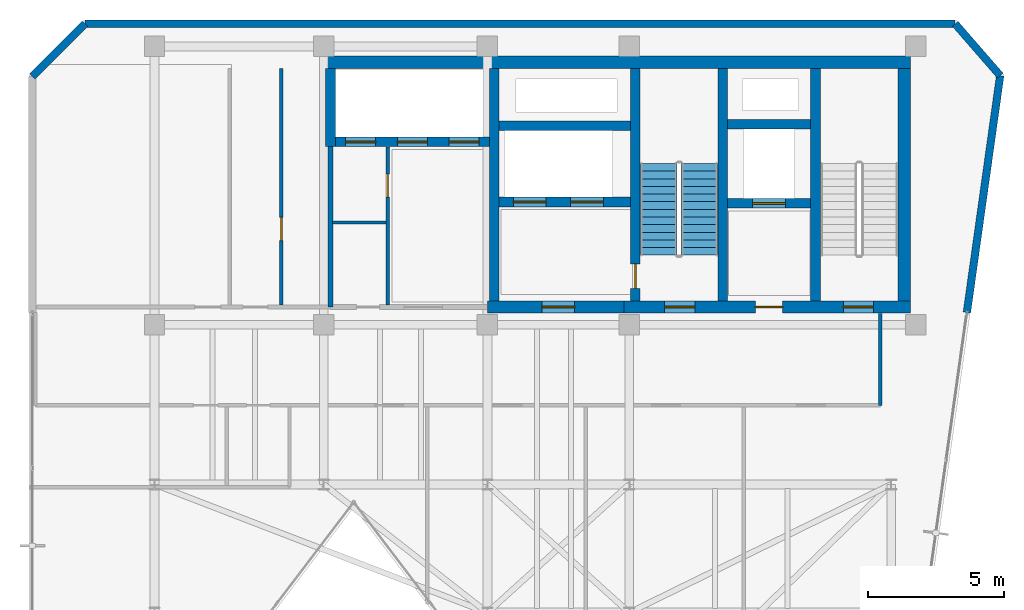
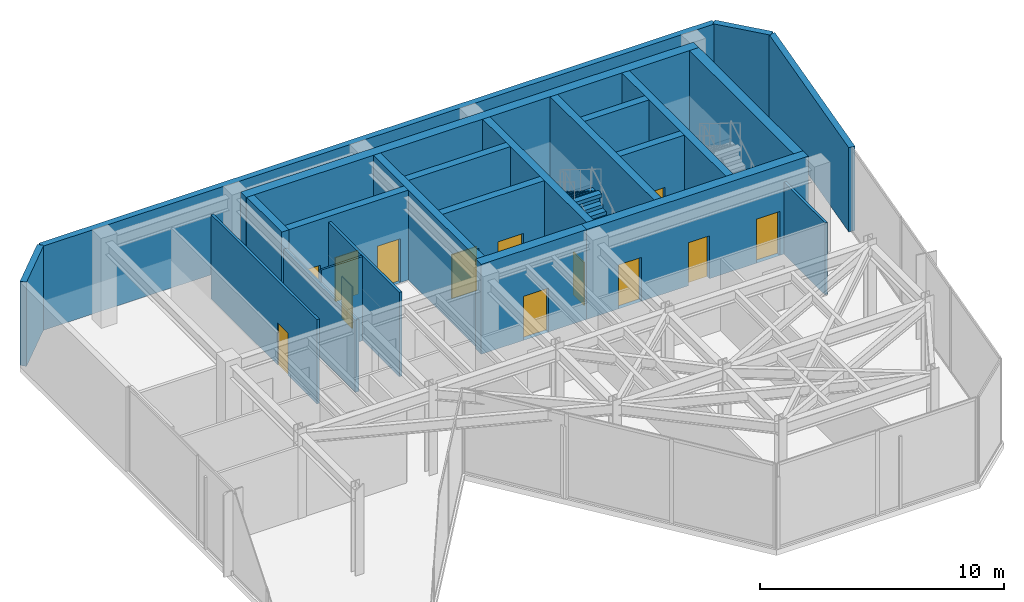
# One storey, part 14 of 17: 23 walls, 13 doors, 2 stair flights, 13 openings, 1 element without a shape of its own.
"""IFC4 building model written with IfcOpenShell, lengths in metres."""

from ifc_helpers import new_model, si_unit, direction, frame, frame_2d, origin, place, context, subcontext, project, spatial, polyline, rectangle, outline, extrude, material, layer, layer_set, type_object, element, fill, aggregate, save


model = new_model("IFC4")

# Units and contexts
model_context = context("Model", 3, precision=1e-05, world=origin(), true_north=direction((0.0, 1.0)))
body_context = subcontext(model_context, "Body", "Model", "MODEL_VIEW")
ifc_project = project(units=[si_unit("LENGTHUNIT", "METRE"), si_unit("AREAUNIT", "SQUARE_METRE"), si_unit("VOLUMEUNIT", "CUBIC_METRE"), si_unit("PLANEANGLEUNIT", "RADIAN"), si_unit("MASSUNIT", "GRAM", prefix="KILO")], contexts=[model_context])

# Site, building, storey
site_placement = place(None, origin())
site = spatial("IfcSite", under=ifc_project, at=site_placement, CompositionType="ELEMENT")
building_placement = place(site_placement, origin())
building = spatial("IfcBuilding", under=site, at=building_placement, Name="Kravanh Interchange Tower", CompositionType="ELEMENT")
storey_placement = place(building_placement, frame((0.0, 0.0, 311.10009765625)))
storey = spatial("IfcBuildingStorey", under=building, at=storey_placement, Name="L77", CompositionType="ELEMENT", Elevation=311.10009765625)

# Wall, opening, door
ifc_material_1 = material(Name="Double Acoustic Gypsum Board and Mineral Wool")
ifc_layer_1 = layer(ifc_material_1, 0.1201171875)
ifc_layer_set_1 = layer_set([ifc_layer_1], Name="Acoustic Office Drywall Partition 120mm")
wall_type_1 = type_object("IfcWallType", Name="Acoustic Office Drywall Partition 120mm", PredefinedType="PARTITIONING", material=ifc_layer_set_1)
wall_1_placement = place(storey_placement, frame((47.14990234375, 38.068115234375, 0.0), z_axis=(0.0, 0.0, 1.0), x_axis=(0.0, 1.0, 0.0)))
wall_1 = element("IfcWall", 1, at=wall_1_placement, inside=storey, type_object=wall_type_1, Name="L77 Interior Partition 2", PredefinedType="PARTITIONING", context=body_context, shape_type="SweptSolid", body=[
    extrude(rectangle(XDim=5.798828125, YDim=0.1201171875, at=frame_2d((2.8994140625, 0.0))), origin(), (0.0, 0.0, 1.0), 4.219970703125),
])
opening_1_placement = place(wall_1_placement, frame((3.95703125, 0.0, 0.0)))
opening_1 = element("IfcOpeningElement", 2, at=opening_1_placement, cuts=wall_1, Name="Opening D-85", PredefinedType="OPENING", context=body_context, shape_type="SweptSolid", body=[
    extrude(rectangle(XDim=0.85009765625, YDim=2.10009765625, at=frame_2d((0.425048828125, 1.050048828125))), frame((0.0, 0.070068359375, 0.0), z_axis=(0.0, -1.0, 0.0), x_axis=(1.0, 0.0, 0.0)), (0.0, 0.0, 1.0), 0.14013671875),
])
ifc_material_2 = material(Name="Engineered Teak Veneer Timber", Category="wood")
door_type_1 = type_object("IfcDoorType", Name="En-Suite Timber Door 850x2100", OperationType="NOTDEFINED", PredefinedType="DOOR", material=ifc_material_2)
door_1_placement = place(opening_1_placement, origin())
door_1 = element("IfcDoor", 3, at=door_1_placement, inside=storey, type_object=door_type_1, Name="L77 Core Valet Store Door", OperationType="SINGLE_SWING_LEFT", OverallHeight=2.10009765625, OverallWidth=0.85009765625, PredefinedType="DOOR", context=body_context, shape_type="SweptSolid", body=[
    extrude(rectangle(XDim=0.85009765625, YDim=2.10009765625, at=frame_2d((0.425048828125, 1.050048828125))), frame((0.0, 0.02490234375, 0.0), z_axis=(0.0, -1.0, 0.0), x_axis=(1.0, 0.0, 0.0)), (0.0, 0.0, 1.0), 0.050048828125),
])
fill(opening_1, door_1)

wall_2_placement = place(storey_placement, frame((43.25, 38.068115234375, 0.0), z_axis=(0.0, 0.0, 1.0), x_axis=(0.0, 1.0, 0.0)))
wall_2 = element("IfcWall", 4, at=wall_2_placement, inside=storey, type_object=wall_type_1, Name="L77 Interior Partition 8", PredefinedType="PARTITIONING", context=body_context, shape_type="SweptSolid", body=[
    extrude(rectangle(XDim=8.681884765625, YDim=0.1201171875, at=frame_2d((4.3408203125, 0.0))), origin(), (0.0, 0.0, 1.0), 4.219970703125),
])
opening_2_placement = place(wall_2_placement, frame((2.365966796875, 0.0, 0.0)))
opening_2 = element("IfcOpeningElement", 5, at=opening_2_placement, cuts=wall_2, Name="Opening D-85", PredefinedType="OPENING", context=body_context, shape_type="SweptSolid", body=[
    extrude(rectangle(XDim=0.85009765625, YDim=2.10009765625, at=frame_2d((0.425048828125, 1.050048828125))), frame((0.0, 0.070068359375, 0.0), z_axis=(0.0, -1.0, 0.0), x_axis=(1.0, 0.0, 0.0)), (0.0, 0.0, 1.0), 0.14013671875),
])
door_2_placement = place(opening_2_placement, origin())
door_2 = element("IfcDoor", 6, at=door_2_placement, inside=storey, type_object=door_type_1, Name="L77 Pantry Store Inner Door", OperationType="SINGLE_SWING_RIGHT", OverallHeight=2.10009765625, OverallWidth=0.85009765625, PredefinedType="DOOR", context=body_context, shape_type="SweptSolid", body=[
    extrude(rectangle(XDim=0.85009765625, YDim=2.10009765625, at=frame_2d((0.425048828125, 1.050048828125))), frame((0.0, 0.02490234375, 0.0), z_axis=(0.0, -1.0, 0.0), x_axis=(1.0, 0.0, 0.0)), (0.0, 0.0, 1.0), 0.050048828125),
])
fill(opening_2, door_2)

# Walls
wall_3_placement = place(storey_placement, frame((65.199951171875, 34.39990234375, 0.0), z_axis=(0.0, 0.0, 1.0), x_axis=(0.0, 1.0, 0.0)))
element("IfcWall", 7, at=wall_3_placement, inside=storey, type_object=wall_type_1, Name="L77 Interior Partition 11", PredefinedType="PARTITIONING", context=body_context, shape_type="SweptSolid", body=[
    extrude(rectangle(XDim=3.3671875, YDim=0.1201171875, at=frame_2d((1.68359375, 0.0))), origin(), (0.0, 0.0, 1.0), 3.60888671875),
])
ifc_material_3 = material(Name="Concrete C60/75", Category="concrete")
ifc_layer_2 = layer(ifc_material_3, 0.35009765625)
ifc_layer_set_2 = layer_set([ifc_layer_2], Name="Core Shear Wall Concrete C60/75 350mm")
wall_type_2 = type_object("IfcWallType", Name="Core Shear Wall Concrete C60/75 350mm", PredefinedType="SHEAR", material=ifc_layer_set_2)
for number, where, z_axis, x_axis, name in (
    (8, (62.824951171875, 38.22509765625, 0.0), (0.0, 0.0, 1.0), (0.0, 1.0, 0.0), "L77 Stair ST1 West Shear Wall"),
    (9, (59.425048828125, 38.22509765625, 0.0), (0.0, 0.0, 1.0), (0.0, 1.0, 0.0), "L77 Stair ST2 East Shear Wall"),
):
    element("IfcWall", number, at=place(storey_placement, frame(where, z_axis=z_axis, x_axis=x_axis)), inside=storey, type_object=wall_type_2, Name=name, PredefinedType="SHEAR", context=body_context, shape_type="SweptSolid", body=[
        extrude(rectangle(XDim=8.52490234375, YDim=0.35009765625, at=frame_2d((4.262451171875, 0.0))), origin(), (0.0, 0.0, 1.0), 4.5),
    ])

# Wall, opening, door
wall_4_placement = place(storey_placement, frame((56.22509765625, 38.22509765625, 0.0), z_axis=(0.0, 0.0, 1.0), x_axis=(0.0, 1.0, 0.0)))
wall_4 = element("IfcWall", 10, at=wall_4_placement, inside=storey, type_object=wall_type_2, Name="L77 Stair ST2 West Shear Wall", PredefinedType="SHEAR", context=body_context, shape_type="SweptSolid", body=[
    extrude(rectangle(XDim=8.52490234375, YDim=0.35009765625, at=frame_2d((4.262451171875, 0.0))), origin(), (0.0, 0.0, 1.0), 4.5),
])
opening_3_placement = place(wall_4_placement, frame((0.455078125, 0.0, 0.0)))
opening_3 = element("IfcOpeningElement", 11, at=opening_3_placement, cuts=wall_4, Name="Opening D-STAIR-90", PredefinedType="OPENING", context=body_context, shape_type="SweptSolid", body=[
    extrude(rectangle(XDim=0.89990234375, YDim=2.14990234375, at=frame_2d((0.449951171875, 1.074951171875))), frame((0.0, 0.18505859375, 0.0), z_axis=(0.0, -1.0, 0.0), x_axis=(1.0, 0.0, 0.0)), (0.0, 0.0, 1.0), 0.3701171875),
])
ifc_material_4 = material(Name="Structural Steel S355", Category="steel")
door_type_2 = type_object("IfcDoorType", Name="Fire-Rated Stair Lobby Door 900x2150", OperationType="NOTDEFINED", PredefinedType="DOOR", material=ifc_material_4)
door_3_placement = place(opening_3_placement, origin())
door_3 = element("IfcDoor", 12, at=door_3_placement, inside=storey, type_object=door_type_2, Name="L77 Firefighting Lobby to Stair ST2 Door", OperationType="SINGLE_SWING_LEFT", OverallHeight=2.14990234375, OverallWidth=0.89990234375, PredefinedType="DOOR", context=body_context, shape_type="SweptSolid", body=[
    extrude(rectangle(XDim=0.89990234375, YDim=2.14990234375, at=frame_2d((0.449951171875, 1.074951171875))), frame((0.0, 0.02490234375, 0.0), z_axis=(0.0, -1.0, 0.0), x_axis=(1.0, 0.0, 0.0)), (0.0, 0.0, 1.0), 0.050048828125),
])
fill(opening_3, door_3)

wall_5_placement = place(storey_placement, frame((59.60009765625, 41.800048828125, 0.0), z_axis=(0.0, 0.0, 1.0), x_axis=(1.0, 0.0, 0.0)))
wall_5 = element("IfcWall", 13, at=wall_5_placement, inside=storey, type_object=wall_type_2, Name="L77 Service Lift Shaft South Wall", PredefinedType="SHEAR", context=body_context, shape_type="SweptSolid", body=[
    extrude(rectangle(XDim=3.0498046875, YDim=0.35009765625, at=frame_2d((1.52490234375, 0.0))), origin(), (0.0, 0.0, 1.0), 4.5),
])
opening_4_placement = place(wall_5_placement, frame((0.919921875, 0.0, 0.0)))
opening_4 = element("IfcOpeningElement", 14, at=opening_4_placement, cuts=wall_5, Name="Opening LD02", PredefinedType="OPENING", context=body_context, shape_type="SweptSolid", body=[
    extrude(rectangle(XDim=1.199951171875, YDim=2.199951171875, at=frame_2d((0.60009765625, 1.10009765625))), frame((0.0, 0.18505859375, 0.0), z_axis=(0.0, -1.0, 0.0), x_axis=(1.0, 0.0, 0.0)), (0.0, 0.0, 1.0), 0.3701171875),
])
ifc_material_5 = material(Name="Stainless Steel 316", Category="steel")
door_type_3 = type_object("IfcDoorType", Name="Fire and Service Lift Sliding Landing Door 1200x2200", OperationType="DOUBLE_DOOR_SLIDING", PredefinedType="DOOR", material=ifc_material_5)
door_4_placement = place(opening_4_placement, origin())
door_4 = element("IfcDoor", 15, at=door_4_placement, inside=storey, type_object=door_type_3, Name="L77 Lift LS-01 Landing Door", OperationType="DOUBLE_DOOR_SLIDING", OverallHeight=2.199951171875, OverallWidth=1.199951171875, PredefinedType="DOOR", context=body_context, shape_type="SweptSolid", body=[
    extrude(rectangle(XDim=1.199951171875, YDim=2.199951171875, at=frame_2d((0.60009765625, 1.10009765625))), frame((0.0, 0.02490234375, 0.0), z_axis=(0.0, -1.0, 0.0), x_axis=(1.0, 0.0, 0.0)), (0.0, 0.0, 1.0), 0.050048828125),
])
fill(opening_4, door_4)

# Wall
wall_6_placement = place(storey_placement, frame((59.60009765625, 44.699951171875, 0.0), z_axis=(0.0, 0.0, 1.0), x_axis=(1.0, 0.0, 0.0)))
element("IfcWall", 16, at=wall_6_placement, inside=storey, type_object=wall_type_2, Name="L77 Service Lift Shaft North Wall", PredefinedType="SHEAR", context=body_context, shape_type="SweptSolid", body=[
    extrude(rectangle(XDim=3.0498046875, YDim=0.35009765625, at=frame_2d((1.52490234375, 0.0))), origin(), (0.0, 0.0, 1.0), 4.5),
])

# Wall, openings, doors
wall_7_placement = place(storey_placement, frame((51.22509765625, 41.85009765625, 0.0), z_axis=(0.0, 0.0, 1.0), x_axis=(1.0, 0.0, 0.0)))
wall_7 = element("IfcWall", 17, at=wall_7_placement, inside=storey, type_object=wall_type_2, Name="L77 Fire Lift Shaft South Wall", PredefinedType="SHEAR", context=body_context, shape_type="SweptSolid", body=[
    extrude(rectangle(XDim=4.824951171875, YDim=0.35009765625, at=frame_2d((2.41259765625, 0.0))), origin(), (0.0, 0.0, 1.0), 4.5),
])
opening_5_placement = place(wall_7_placement, frame((0.52490234375, 0.0, 0.0)))
opening_5 = element("IfcOpeningElement", 18, at=opening_5_placement, cuts=wall_7, Name="Opening LD02", PredefinedType="OPENING", context=body_context, shape_type="SweptSolid", body=[
    extrude(rectangle(XDim=1.199951171875, YDim=2.199951171875, at=frame_2d((0.60009765625, 1.10009765625))), frame((0.0, 0.18505859375, 0.0), z_axis=(0.0, -1.0, 0.0), x_axis=(1.0, 0.0, 0.0)), (0.0, 0.0, 1.0), 0.3701171875),
])
opening_6_placement = place(wall_7_placement, frame((2.625, 0.0, 0.0)))
opening_6 = element("IfcOpeningElement", 19, at=opening_6_placement, cuts=wall_7, Name="Opening LD02", PredefinedType="OPENING", context=body_context, shape_type="SweptSolid", body=[
    extrude(rectangle(XDim=1.199951171875, YDim=2.199951171875, at=frame_2d((0.60009765625, 1.10009765625))), frame((0.0, 0.18505859375, 0.0), z_axis=(0.0, -1.0, 0.0), x_axis=(1.0, 0.0, 0.0)), (0.0, 0.0, 1.0), 0.3701171875),
])
door_5_placement = place(opening_5_placement, origin())
door_5 = element("IfcDoor", 20, at=door_5_placement, inside=storey, type_object=door_type_3, Name="L77 Lift FSAE-01 Landing Door", OperationType="DOUBLE_DOOR_SLIDING", OverallHeight=2.199951171875, OverallWidth=1.199951171875, PredefinedType="DOOR", context=body_context, shape_type="SweptSolid", body=[
    extrude(rectangle(XDim=1.199951171875, YDim=2.199951171875, at=frame_2d((0.60009765625, 1.10009765625))), frame((0.0, 0.02490234375, 0.0), z_axis=(0.0, -1.0, 0.0), x_axis=(1.0, 0.0, 0.0)), (0.0, 0.0, 1.0), 0.050048828125),
])
fill(opening_5, door_5)
door_6_placement = place(opening_6_placement, origin())
door_6 = element("IfcDoor", 21, at=door_6_placement, inside=storey, type_object=door_type_3, Name="L77 Lift FSAE-02 Landing Door", OperationType="DOUBLE_DOOR_SLIDING", OverallHeight=2.199951171875, OverallWidth=1.199951171875, PredefinedType="DOOR", context=body_context, shape_type="SweptSolid", body=[
    extrude(rectangle(XDim=1.199951171875, YDim=2.199951171875, at=frame_2d((0.60009765625, 1.10009765625))), frame((0.0, 0.02490234375, 0.0), z_axis=(0.0, -1.0, 0.0), x_axis=(1.0, 0.0, 0.0)), (0.0, 0.0, 1.0), 0.050048828125),
])
fill(opening_6, door_6)

# Walls
wall_8_placement = place(storey_placement, frame((51.22509765625, 44.64990234375, 0.0), z_axis=(0.0, 0.0, 1.0), x_axis=(1.0, 0.0, 0.0)))
element("IfcWall", 22, at=wall_8_placement, inside=storey, type_object=wall_type_2, Name="L77 Fire Lift Shaft North Wall", PredefinedType="SHEAR", context=body_context, shape_type="SweptSolid", body=[
    extrude(rectangle(XDim=4.824951171875, YDim=0.35009765625, at=frame_2d((2.41259765625, 0.0))), origin(), (0.0, 0.0, 1.0), 4.5),
])
wall_9_placement = place(storey_placement, frame((51.050048828125, 38.22509765625, 0.0), z_axis=(0.0, 0.0, 1.0), x_axis=(0.0, 1.0, 0.0)))
element("IfcWall", 23, at=wall_9_placement, inside=storey, type_object=wall_type_2, Name="L77 Firefighting Lobby West Wall", PredefinedType="SHEAR", context=body_context, shape_type="SweptSolid", body=[
    extrude(rectangle(XDim=8.52490234375, YDim=0.35009765625, at=frame_2d((4.262451171875, 0.0))), origin(), (0.0, 0.0, 1.0), 4.5),
])

# Wall, openings, doors
wall_10_placement = place(storey_placement, frame((45.22509765625, 44.050048828125, 0.0), z_axis=(0.0, 0.0, 1.0), x_axis=(1.0, 0.0, 0.0)))
wall_10 = element("IfcWall", 24, at=wall_10_placement, inside=storey, type_object=wall_type_2, Name="L77 High-Rise Lift Shaft South Wall", PredefinedType="SHEAR", context=body_context, shape_type="SweptSolid", body=[
    extrude(rectangle(XDim=5.64990234375, YDim=0.35009765625, at=frame_2d((2.824951171875, 0.0))), origin(), (0.0, 0.0, 1.0), 4.5),
])
opening_7_placement = place(wall_10_placement, frame((0.375, 0.0, 0.0)))
opening_7 = element("IfcOpeningElement", 25, at=opening_7_placement, cuts=wall_10, Name="Opening LD01", PredefinedType="OPENING", context=body_context, shape_type="SweptSolid", body=[
    extrude(rectangle(XDim=1.10009765625, YDim=2.199951171875, at=frame_2d((0.550048828125, 1.10009765625))), frame((0.0, 0.18505859375, 0.0), z_axis=(0.0, -1.0, 0.0), x_axis=(1.0, 0.0, 0.0)), (0.0, 0.0, 1.0), 0.3701171875),
])
opening_8_placement = place(wall_10_placement, frame((2.27490234375, 0.0, 0.0)))
opening_8 = element("IfcOpeningElement", 26, at=opening_8_placement, cuts=wall_10, Name="Opening LD01", PredefinedType="OPENING", context=body_context, shape_type="SweptSolid", body=[
    extrude(rectangle(XDim=1.10009765625, YDim=2.199951171875, at=frame_2d((0.550048828125, 1.10009765625))), frame((0.0, 0.18505859375, 0.0), z_axis=(0.0, -1.0, 0.0), x_axis=(1.0, 0.0, 0.0)), (0.0, 0.0, 1.0), 0.3701171875),
])
opening_9_placement = place(wall_10_placement, frame((4.175048828125, 0.0, 0.0)))
opening_9 = element("IfcOpeningElement", 27, at=opening_9_placement, cuts=wall_10, Name="Opening LD01", PredefinedType="OPENING", context=body_context, shape_type="SweptSolid", body=[
    extrude(rectangle(XDim=1.10009765625, YDim=2.199951171875, at=frame_2d((0.550048828125, 1.10009765625))), frame((0.0, 0.18505859375, 0.0), z_axis=(0.0, -1.0, 0.0), x_axis=(1.0, 0.0, 0.0)), (0.0, 0.0, 1.0), 0.3701171875),
])
ifc_material_6 = material(Name="Stainless Steel 304", Category="steel")
door_type_4 = type_object("IfcDoorType", Name="Passenger Lift Sliding Landing Door 1100x2200", OperationType="DOUBLE_DOOR_SLIDING", PredefinedType="DOOR", material=ifc_material_6)
door_7_placement = place(opening_7_placement, origin())
door_7 = element("IfcDoor", 28, at=door_7_placement, inside=storey, type_object=door_type_4, Name="L77 Lift LP-H1 Landing Door", OperationType="DOUBLE_DOOR_SLIDING", OverallHeight=2.199951171875, OverallWidth=1.10009765625, PredefinedType="DOOR", context=body_context, shape_type="SweptSolid", body=[
    extrude(rectangle(XDim=1.10009765625, YDim=2.199951171875, at=frame_2d((0.550048828125, 1.10009765625))), frame((0.0, 0.02490234375, 0.0), z_axis=(0.0, -1.0, 0.0), x_axis=(1.0, 0.0, 0.0)), (0.0, 0.0, 1.0), 0.050048828125),
])
fill(opening_7, door_7)
door_8_placement = place(opening_8_placement, origin())
door_8 = element("IfcDoor", 29, at=door_8_placement, inside=storey, type_object=door_type_4, Name="L77 Lift LP-H2 Landing Door", OperationType="DOUBLE_DOOR_SLIDING", OverallHeight=2.199951171875, OverallWidth=1.10009765625, PredefinedType="DOOR", context=body_context, shape_type="SweptSolid", body=[
    extrude(rectangle(XDim=1.10009765625, YDim=2.199951171875, at=frame_2d((0.550048828125, 1.10009765625))), frame((0.0, 0.02490234375, 0.0), z_axis=(0.0, -1.0, 0.0), x_axis=(1.0, 0.0, 0.0)), (0.0, 0.0, 1.0), 0.050048828125),
])
fill(opening_8, door_8)
door_9_placement = place(opening_9_placement, origin())
door_9 = element("IfcDoor", 30, at=door_9_placement, inside=storey, type_object=door_type_4, Name="L77 Lift LP-H3 Landing Door", OperationType="DOUBLE_DOOR_SLIDING", OverallHeight=2.199951171875, OverallWidth=1.10009765625, PredefinedType="DOOR", context=body_context, shape_type="SweptSolid", body=[
    extrude(rectangle(XDim=1.10009765625, YDim=2.199951171875, at=frame_2d((0.550048828125, 1.10009765625))), frame((0.0, 0.02490234375, 0.0), z_axis=(0.0, -1.0, 0.0), x_axis=(1.0, 0.0, 0.0)), (0.0, 0.0, 1.0), 0.050048828125),
])
fill(opening_9, door_9)

# Walls
wall_11_placement = place(storey_placement, frame((45.050048828125, 43.875, 0.0), z_axis=(0.0, 0.0, 1.0), x_axis=(0.0, 1.0, 0.0)))
element("IfcWall", 31, at=wall_11_placement, inside=storey, type_object=wall_type_2, Name="L77 High-Rise Lift Shaft West Wall", PredefinedType="SHEAR", context=body_context, shape_type="SweptSolid", body=[
    extrude(rectangle(XDim=2.875, YDim=0.35009765625, at=frame_2d((1.4375, 0.0))), origin(), (0.0, 0.0, 1.0), 4.5),
])
ifc_material_7 = material(Name="Concrete C60/75", Category="concrete")
ifc_layer_3 = layer(ifc_material_7, 0.449951171875)
ifc_layer_set_3 = layer_set([ifc_layer_3], Name="Core Shear Wall Concrete C60/75 450mm")
wall_type_3 = type_object("IfcWallType", Name="Core Shear Wall Concrete C60/75 450mm", PredefinedType="SHEAR", material=ifc_layer_set_3)
wall_12_placement = place(storey_placement, frame((44.85009765625, 46.97509765625, 0.0), z_axis=(0.0, 0.0, 1.0), x_axis=(1.0, 0.0, 0.0)))
element("IfcWall", 32, at=wall_12_placement, inside=storey, type_object=wall_type_3, Name="L77 North Core Shear Wall", PredefinedType="SHEAR", context=body_context, shape_type="SweptSolid", body=[
    extrude(rectangle(XDim=21.449951171875, YDim=0.449951171875, at=frame_2d((10.72509765625, 0.0))), origin(), (0.0, 0.0, 1.0), 4.5),
])

# Wall, openings, doors
wall_13_placement = place(storey_placement, frame((55.800048828125, 38.0, 0.0), z_axis=(0.0, 0.0, 1.0), x_axis=(1.0, 0.0, 0.0)))
wall_13 = element("IfcWall", 33, at=wall_13_placement, inside=storey, type_object=wall_type_3, Name="L77 East Core South Shear Wall", PredefinedType="SHEAR", context=body_context, shape_type="SweptSolid", body=[
    extrude(rectangle(XDim=10.5, YDim=0.449951171875, at=frame_2d((5.25, 0.0))), origin(), (0.0, 0.0, 1.0), 4.5),
])
opening_10_placement = place(wall_13_placement, frame((1.5, 0.0, 0.0)))
opening_10 = element("IfcOpeningElement", 34, at=opening_10_placement, cuts=wall_13, Name="Opening D-STAIR-110", PredefinedType="OPENING", context=body_context, shape_type="SweptSolid", body=[
    extrude(rectangle(XDim=1.10009765625, YDim=2.199951171875, at=frame_2d((0.550048828125, 1.10009765625))), frame((0.0, 0.23486328125, 0.0), z_axis=(0.0, -1.0, 0.0), x_axis=(1.0, 0.0, 0.0)), (0.0, 0.0, 1.0), 0.469970703125),
])
opening_11_placement = place(wall_13_placement, frame((4.820068359375, 0.0, 0.0)))
opening_11 = element("IfcOpeningElement", 35, at=opening_11_placement, cuts=wall_13, Name="Opening D-HOTEL-100", PredefinedType="OPENING", context=body_context, shape_type="SweptSolid", body=[
    extrude(rectangle(XDim=1.0, YDim=2.14990234375, at=frame_2d((0.5, 1.074951171875))), frame((0.0, 0.23486328125, 0.0), z_axis=(0.0, -1.0, 0.0), x_axis=(1.0, 0.0, 0.0)), (0.0, 0.0, 1.0), 0.469970703125),
])
opening_12_placement = place(wall_13_placement, frame((8.050048828125, 0.0, 0.0)))
opening_12 = element("IfcOpeningElement", 36, at=opening_12_placement, cuts=wall_13, Name="Opening D-STAIR-110", PredefinedType="OPENING", context=body_context, shape_type="SweptSolid", body=[
    extrude(rectangle(XDim=1.10009765625, YDim=2.199951171875, at=frame_2d((0.550048828125, 1.10009765625))), frame((0.0, 0.23486328125, 0.0), z_axis=(0.0, -1.0, 0.0), x_axis=(1.0, 0.0, 0.0)), (0.0, 0.0, 1.0), 0.469970703125),
])
ifc_material_8 = material(Name="Structural Steel S355", Category="steel")
door_type_5 = type_object("IfcDoorType", Name="Fire-Rated Exit Stair Door 1100x2200", OperationType="NOTDEFINED", PredefinedType="DOOR", material=ifc_material_8)
door_10_placement = place(opening_10_placement, origin())
door_10 = element("IfcDoor", 37, at=door_10_placement, inside=storey, type_object=door_type_5, Name="L77 Exit Stair ST2 Door", OperationType="SINGLE_SWING_RIGHT", OverallHeight=2.199951171875, OverallWidth=1.10009765625, PredefinedType="DOOR", context=body_context, shape_type="SweptSolid", body=[
    extrude(rectangle(XDim=1.10009765625, YDim=2.199951171875, at=frame_2d((0.550048828125, 1.10009765625))), frame((0.0, 0.02490234375, 0.0), z_axis=(0.0, -1.0, 0.0), x_axis=(1.0, 0.0, 0.0)), (0.0, 0.0, 1.0), 0.050048828125),
])
fill(opening_10, door_10)
door_11_placement = place(opening_12_placement, origin())
door_11 = element("IfcDoor", 38, at=door_11_placement, inside=storey, type_object=door_type_5, Name="L77 Exit Stair ST1 Door", OperationType="SINGLE_SWING_RIGHT", OverallHeight=2.199951171875, OverallWidth=1.10009765625, PredefinedType="DOOR", context=body_context, shape_type="SweptSolid", body=[
    extrude(rectangle(XDim=1.10009765625, YDim=2.199951171875, at=frame_2d((0.550048828125, 1.10009765625))), frame((0.0, 0.02490234375, 0.0), z_axis=(0.0, -1.0, 0.0), x_axis=(1.0, 0.0, 0.0)), (0.0, 0.0, 1.0), 0.050048828125),
])
fill(opening_12, door_11)
ifc_material_9 = material(Name="Fire-Rated Solid Timber Leaf", Category="wood")
door_type_6 = type_object("IfcDoorType", Name="Fire-Rated Suite Entrance Door 1000x2150", OperationType="NOTDEFINED", PredefinedType="DOOR", material=ifc_material_9)
door_12_placement = place(opening_11_placement, origin())
door_12 = element("IfcDoor", 39, at=door_12_placement, inside=storey, type_object=door_type_6, Name="L77 Service Lift Lobby Door", OperationType="SINGLE_SWING_RIGHT", OverallHeight=2.14990234375, OverallWidth=1.0, PredefinedType="DOOR", context=body_context, shape_type="SweptSolid", body=[
    extrude(rectangle(XDim=1.0, YDim=2.14990234375, at=frame_2d((0.5, 1.074951171875))), frame((0.0, 0.02490234375, 0.0), z_axis=(0.0, -1.0, 0.0), x_axis=(1.0, 0.0, 0.0)), (0.0, 0.0, 1.0), 0.050048828125),
])
fill(opening_11, door_12)

# Wall
wall_14_placement = place(storey_placement, frame((66.074951171875, 38.22509765625, 0.0), z_axis=(0.0, 0.0, 1.0), x_axis=(0.0, 1.0, 0.0)))
element("IfcWall", 40, at=wall_14_placement, inside=storey, type_object=wall_type_3, Name="L77 Stair ST1 East Shear Wall", PredefinedType="SHEAR", context=body_context, shape_type="SweptSolid", body=[
    extrude(rectangle(XDim=8.52490234375, YDim=0.449951171875, at=frame_2d((4.262451171875, 0.0))), origin(), (0.0, 0.0, 1.0), 4.5),
])

# Wall, opening, door
wall_15_placement = place(storey_placement, frame((50.800048828125, 38.0, 0.0), z_axis=(0.0, 0.0, 1.0), x_axis=(1.0, 0.0, 0.0)))
wall_15 = element("IfcWall", 41, at=wall_15_placement, inside=storey, type_object=wall_type_3, Name="L77 Firefighting Lobby South Shear Wall", PredefinedType="SHEAR", context=body_context, shape_type="SweptSolid", body=[
    extrude(rectangle(XDim=5.0, YDim=0.449951171875, at=frame_2d((2.5, 0.0))), origin(), (0.0, 0.0, 1.0), 4.5),
])
opening_13_placement = place(wall_15_placement, frame((2.0, 0.0, 0.0)))
opening_13 = element("IfcOpeningElement", 42, at=opening_13_placement, cuts=wall_15, Name="Opening D-FSAE-120", PredefinedType="OPENING", context=body_context, shape_type="SweptSolid", body=[
    extrude(rectangle(XDim=1.199951171875, YDim=2.199951171875, at=frame_2d((0.60009765625, 1.10009765625))), frame((0.0, 0.23486328125, 0.0), z_axis=(0.0, -1.0, 0.0), x_axis=(1.0, 0.0, 0.0)), (0.0, 0.0, 1.0), 0.469970703125),
])
ifc_material_10 = material(Name="Structural Steel S355", Category="steel")
door_type_7 = type_object("IfcDoorType", Name="Fire-Rated Refuge and FSAE Door 1200x2200", OperationType="NOTDEFINED", PredefinedType="DOOR", material=ifc_material_10)
door_13_placement = place(opening_13_placement, origin())
door_13 = element("IfcDoor", 43, at=door_13_placement, inside=storey, type_object=door_type_7, Name="L77 Firefighting Lobby Corridor Door", OperationType="SINGLE_SWING_RIGHT", OverallHeight=2.199951171875, OverallWidth=1.199951171875, PredefinedType="DOOR", context=body_context, shape_type="SweptSolid", body=[
    extrude(rectangle(XDim=1.199951171875, YDim=2.199951171875, at=frame_2d((0.60009765625, 1.10009765625))), frame((0.0, 0.02490234375, 0.0), z_axis=(0.0, -1.0, 0.0), x_axis=(1.0, 0.0, 0.0)), (0.0, 0.0, 1.0), 0.050048828125),
])
fill(opening_13, door_13)

# Walls
ifc_material_11 = material(Name="Moisture-Resistant Gypsum Board and Mineral Wool")
ifc_layer_4 = layer(ifc_material_11, 0.10009765625)
ifc_layer_set_4 = layer_set([ifc_layer_4], Name="En-Suite Moisture-Resistant Partition 100mm")
wall_type_4 = type_object("IfcWallType", Name="En-Suite Moisture-Resistant Partition 100mm", PredefinedType="PARTITIONING", material=ifc_layer_set_4)
wall_16_placement = place(storey_placement, frame((45.117919921875, 41.10009765625, 0.0), z_axis=(0.0, 0.0, 1.0), x_axis=(1.0, 0.0, 0.0)))
element("IfcWall", 44, at=wall_16_placement, inside=storey, type_object=wall_type_4, Name="L77 Interior Partition 3", PredefinedType="PARTITIONING", context=body_context, shape_type="SweptSolid", body=[
    extrude(rectangle(XDim=1.964111328125, YDim=0.10009765625, at=frame_2d((0.98193359375, 0.0))), origin(), (0.0, 0.0, 1.0), 4.219970703125),
])
ifc_material_12 = material(Name="Insulated Precast Concrete C40/50 with Bronze Cladding", Category="concrete")
ifc_layer_5 = layer(ifc_material_12, 0.280029296875)
ifc_layer_set_5 = layer_set([ifc_layer_5], Name="Exterior Insulated Concrete C40/50 Bronze Spandrel Wall 280mm")
wall_type_5 = type_object("IfcWallType", Name="Exterior Insulated Concrete C40/50 Bronze Spandrel Wall 280mm", PredefinedType="STANDARD", material=ifc_layer_set_5)
wall_17_placement = place(storey_placement, frame((34.1201171875, 46.4501953125, 0.0), z_axis=(0.0, 0.0, 1.0), x_axis=(0.707106781187, 0.707106781187, 0.0)))
element("IfcWall", 45, at=wall_17_placement, inside=storey, type_object=wall_type_5, Name="L77 Exterior Wall 2", PredefinedType="STANDARD", context=body_context, shape_type="SweptSolid", body=[
    extrude(rectangle(XDim=2.72900390625, YDim=0.280029296875, at=frame_2d((1.364501953125, 0.0))), origin(), (0.0, 0.0, 1.0), 4.219970703125),
])
wall_18_placement = place(storey_placement, frame((36.0498046875, 48.3798828125, 0.0), z_axis=(0.0, 0.0, 1.0), x_axis=(1.0, 0.0, 0.0)))
element("IfcWall", 46, at=wall_18_placement, inside=storey, type_object=wall_type_5, Name="L77 Exterior Wall 3", PredefinedType="STANDARD", context=body_context, shape_type="SweptSolid", body=[
    extrude(rectangle(XDim=31.8955078125, YDim=0.280029296875, at=frame_2d((15.94775390625, 0.0))), origin(), (0.0, 0.0, 1.0), 4.219970703125),
])
wall_19_placement = place(storey_placement, frame((67.9453125, 48.3798828125, 0.0), z_axis=(0.0, 0.0, 1.0), x_axis=(0.656068147197, -0.75470165379, 0.0)))
element("IfcWall", 47, at=wall_19_placement, inside=storey, type_object=wall_type_5, Name="L77 Exterior Wall 4", PredefinedType="STANDARD", context=body_context, shape_type="SweptSolid", body=[
    extrude(rectangle(XDim=2.514892578125, YDim=0.280029296875, at=frame_2d((1.25732421875, 0.0))), origin(), (0.0, 0.0, 1.0), 4.219970703125),
])
wall_20_placement = place(storey_placement, frame((69.59521484375, 46.48193359375, 0.0), z_axis=(0.0, 0.0, 1.0), x_axis=(-0.139179310088, -0.990267196086, 0.0)))
element("IfcWall", 48, at=wall_20_placement, inside=storey, type_object=wall_type_5, Name="L77 Exterior Wall 5", PredefinedType="STANDARD", context=body_context, shape_type="SweptSolid", body=[
    extrude(rectangle(XDim=8.767333984375, YDim=0.280029296875, at=frame_2d((4.3837890625, 0.0))), origin(), (0.0, 0.0, 1.0), 4.219970703125),
])
ifc_material_13 = material(Name="Autoclaved Aerated Concrete C30/37 Blockwork", Category="masonry")
ifc_layer_6 = layer(ifc_material_13, 0.179931640625)
ifc_layer_set_6 = layer_set([ifc_layer_6], Name="Fire-Rated Lobby and Corridor Wall Concrete C30/37 180mm")
wall_type_6 = type_object("IfcWallType", Name="Fire-Rated Lobby and Corridor Wall Concrete C30/37 180mm", PredefinedType="STANDARD", material=ifc_layer_set_6)
wall_21_placement = place(storey_placement, frame((45.050048828125, 38.0, 0.0), z_axis=(0.0, 0.0, 1.0), x_axis=(0.0, 1.0, 0.0)))
element("IfcWall", 49, at=wall_21_placement, inside=storey, type_object=wall_type_6, Name="L77 Interior Partition 4", PredefinedType="STANDARD", context=body_context, shape_type="SweptSolid", body=[
    extrude(rectangle(XDim=5.875, YDim=0.179931640625, at=frame_2d((2.9375, 0.0))), origin(), (0.0, 0.0, 1.0), 3.60888671875),
])

# Stair, stair flights
ifc_material_14 = material(Name="Concrete C50/60", Category="concrete")
stair_type = type_object("IfcStairType", Name="Core Fire Exit Dogleg Stair Concrete C50/60", PredefinedType="HALF_TURN_STAIR", material=ifc_material_14)
stair_placement = place(storey_placement, origin())
stair = element("IfcStair", 50, at=stair_placement, inside=storey, type_object=stair_type, Name="L77 Exit Stair ST2", PredefinedType="HALF_TURN_STAIR")
ifc_material_15 = material(Name="Precast Concrete C50/60", Category="concrete")
ifc_layer_7 = layer(ifc_material_15, 0.199951171875)
ifc_layer_set_7 = layer_set([ifc_layer_7], Name="Precast Concrete C50/60 Stair Flight 1350mm")
stair_flight_type = type_object("IfcStairFlightType", Name="Precast Concrete C50/60 Stair Flight 1350mm", PredefinedType="STRAIGHT", material=ifc_layer_set_7)
stair_flight_1_placement = place(storey_placement, frame((58.574951171875, 39.89990234375, 0.0), z_axis=(0.0, 0.0, 1.0), x_axis=(0.0, 1.0, 0.0)))
stair_flight_1 = element("IfcStairFlight", 51, at=stair_flight_1_placement, type_object=stair_flight_type, Name="ST2 flight 1", NumberOfRisers=13, NumberOfTreads=12, PredefinedType="STRAIGHT", RiserHeight=0.173076923, TreadLength=0.28, context=body_context, shape_type="SweptSolid", body=[
    extrude(outline(polyline([(0.0, 0.0), (0.0, 0.173095703125), (0.280029296875, 0.173095703125), (0.280029296875, 0.34619140625), (0.56005859375, 0.34619140625), (0.56005859375, 0.519287109375), (0.840087890625, 0.519287109375), (0.840087890625, 0.6923828125), (1.1201171875, 0.6923828125), (1.1201171875, 0.865478515625), (1.39990234375, 0.865478515625), (1.39990234375, 1.03857421875), (1.679931640625, 1.03857421875), (1.679931640625, 1.21142578125), (1.9599609375, 1.21142578125), (1.9599609375, 1.384521484375), (2.239990234375, 1.384521484375), (2.239990234375, 1.5576171875), (2.52001953125, 1.5576171875), (2.52001953125, 1.730712890625), (2.800048828125, 1.730712890625), (2.800048828125, 1.90380859375), (3.080078125, 1.90380859375), (3.080078125, 2.076904296875), (3.360107421875, 2.076904296875), (3.360107421875, 2.25), (3.360107421875, 1.900634765625), (0.28515625, 0.0), (0.0, 0.0)])), frame((0.0, 0.675048828125, 0.0), z_axis=(0.0, -1.0, 0.0), x_axis=(1.0, 0.0, 0.0)), (0.0, 0.0, 1.0), 1.35009765625),
])
stair_flight_2_placement = place(storey_placement, frame((57.074951171875, 43.260009765625, 2.25), z_axis=(0.0, 0.0, 1.0), x_axis=(0.0, -1.0, 0.0)))
stair_flight_2 = element("IfcStairFlight", 52, at=stair_flight_2_placement, type_object=stair_flight_type, Name="ST2 flight 2", NumberOfRisers=13, NumberOfTreads=12, PredefinedType="STRAIGHT", RiserHeight=0.173076923, TreadLength=0.28, context=body_context, shape_type="SweptSolid", body=[
    extrude(outline(polyline([(0.0, 0.0), (0.0, 0.173095703125), (0.280029296875, 0.173095703125), (0.280029296875, 0.34619140625), (0.56005859375, 0.34619140625), (0.56005859375, 0.519287109375), (0.840087890625, 0.519287109375), (0.840087890625, 0.6923828125), (1.1201171875, 0.6923828125), (1.1201171875, 0.865478515625), (1.39990234375, 0.865478515625), (1.39990234375, 1.03857421875), (1.679931640625, 1.03857421875), (1.679931640625, 1.21142578125), (1.9599609375, 1.21142578125), (1.9599609375, 1.384521484375), (2.239990234375, 1.384521484375), (2.239990234375, 1.5576171875), (2.52001953125, 1.5576171875), (2.52001953125, 1.730712890625), (2.800048828125, 1.730712890625), (2.800048828125, 1.90380859375), (3.080078125, 1.90380859375), (3.080078125, 2.076904296875), (3.360107421875, 2.076904296875), (3.360107421875, 2.25), (3.360107421875, 1.900634765625), (0.28515625, 0.0), (0.0, 0.0)])), frame((0.0, 0.675048828125, 0.0), z_axis=(0.0, -1.0, 0.0), x_axis=(1.0, 0.0, 0.0)), (0.0, 0.0, 1.0), 1.35009765625),
])
aggregate(stair, [stair_flight_1, stair_flight_2])

save(model, "model.ifc")
